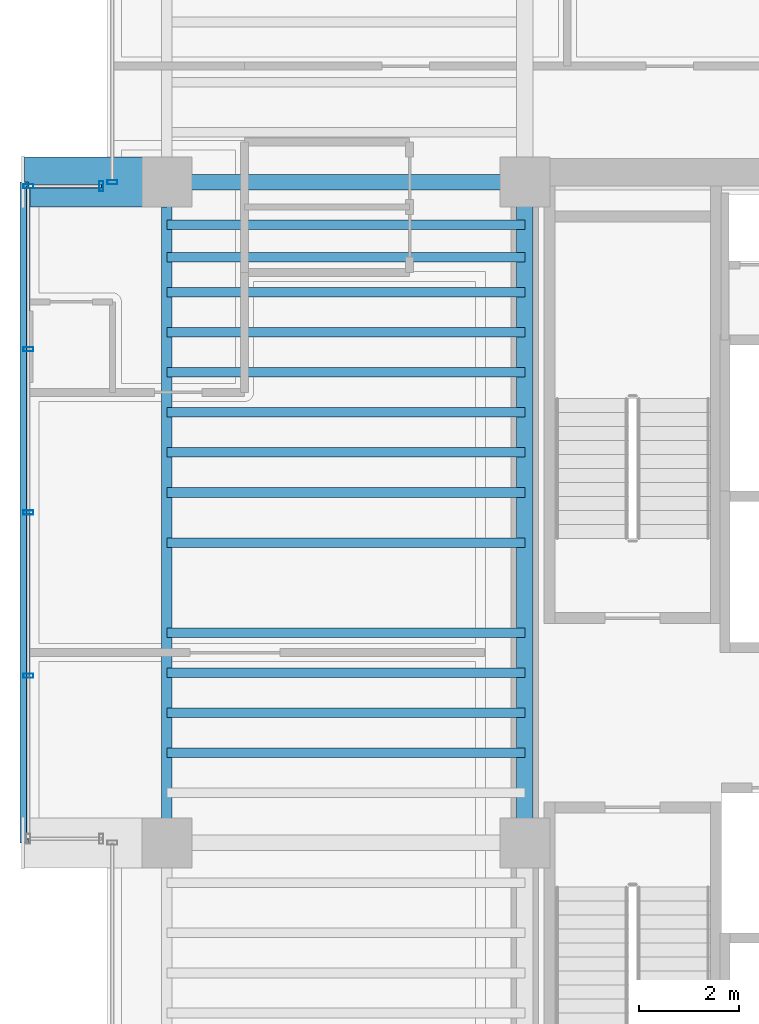
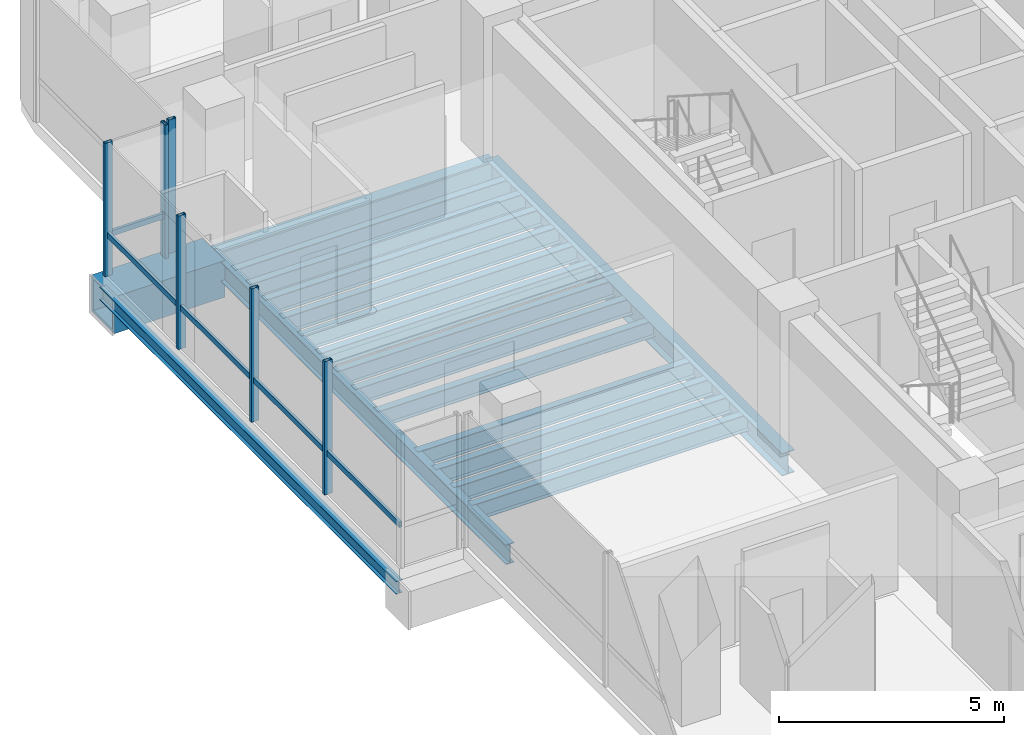
# One storey, part 7 of 36: 18 beams, 8 members, 3 elements without a shape of their own.
"""IFC4 building model written with IfcOpenShell, lengths in metres."""

from ifc_helpers import new_model, si_unit, direction, frame, origin, origin_2d, place, context, subcontext, project, spatial, hollow_rectangle, i_section, extrude, source, transform, mapped, material, material_profile, profile_set, type_object, element, aggregate, save


model = new_model("IFC4")

# Units and contexts
model_context = context("Model", 3, precision=1e-05, world=origin(), true_north=direction((0.0, 1.0)))
body_context = subcontext(model_context, "Body", "Model", "MODEL_VIEW")
ifc_project = project(units=[si_unit("LENGTHUNIT", "METRE"), si_unit("AREAUNIT", "SQUARE_METRE"), si_unit("VOLUMEUNIT", "CUBIC_METRE"), si_unit("PLANEANGLEUNIT", "RADIAN"), si_unit("MASSUNIT", "GRAM", prefix="KILO")], contexts=[model_context])

# Site, building, storey
site_placement = place(None, origin())
site = spatial("IfcSite", under=ifc_project, at=site_placement, CompositionType="ELEMENT")
building_placement = place(site_placement, origin())
building = spatial("IfcBuilding", under=site, at=building_placement, Name="Valdorenza Pilgrim Sanctuary Tower", CompositionType="ELEMENT")
storey_placement = place(building_placement, frame((0.0, 0.0, 176.550048828125)))
storey = spatial("IfcBuildingStorey", under=building, at=storey_placement, Name="L45", CompositionType="ELEMENT", Elevation=176.550048828125)

# Beams
ifc_material_1 = material(Name="Steel ASTM A992 Grade 50", Category="steel")
ifc_material_profile_1 = material_profile(ifc_material_1, i_section(OverallWidth=0.323974609375, OverallDepth=0.611083984375, WebThickness=0.0126953125, FlangeThickness=0.01904296875, at=origin_2d()), Name="W24X104")
ifc_profile_set_1 = profile_set([ifc_material_profile_1], Name="Steel ASTM A992 Grade 50")
beam_type_1 = type_object("IfcBeamType", Name="STR-BM-GRD-W24B", PredefinedType="BEAM", material=ifc_profile_set_1)
shared_shape_1 = source(origin(), body_context, "Body", "SweptSolid", [
    extrude(i_section(OverallWidth=0.323974609375, OverallDepth=0.611083984375, WebThickness=0.0126953125, FlangeThickness=0.01904296875, at=origin_2d()), origin(), (0.0, 0.0, 1.0), 13.2001953125),
])
beam_1_placement = place(storey_placement, frame((-22.64990234375, -2.60009765625, -0.62548828125), z_axis=(0.0, 1.0, 0.0), x_axis=(-1.0, 0.0, 0.0)))
element("IfcBeam", 1, at=beam_1_placement, inside=storey, type_object=beam_type_1, Name="L45 Core Tie Girder CA-W-M0N1", PredefinedType="BEAM", context=body_context, shape_type="MappedRepresentation", body=[
    mapped(shared_shape_1, transform((0.0, 0.0, 0.0), x_axis=(1.0, 0.0, 0.0), y_axis=(0.0, 1.0, 0.0), z_axis=(0.0, 0.0, 1.0), scale=1.0)),
])
ifc_material_profile_2 = material_profile(ifc_material_1, i_section(OverallWidth=0.1708984375, OverallDepth=0.35107421875, WebThickness=0.0068359375, FlangeThickness=0.009765625, at=origin_2d()), Name="W14X30")
ifc_profile_set_2 = profile_set([ifc_material_profile_2], Name="Steel ASTM A992 Grade 50")
beam_type_2 = type_object("IfcBeamType", Name="STR-BM-BOX-W14", PredefinedType="BEAM", material=ifc_profile_set_2)
shared_shape_2 = source(origin(), body_context, "Body", "SweptSolid", [
    extrude(i_section(OverallWidth=0.1708984375, OverallDepth=0.35107421875, WebThickness=0.0068359375, FlangeThickness=0.009765625, at=origin_2d()), origin(), (0.0, 0.0, 1.0), 13.2001953125),
])
beam_2_placement = place(storey_placement, frame((-32.64990234375, -2.60009765625, -0.49560546875), z_axis=(0.0, 1.0, 0.0), x_axis=(-1.0, 0.0, 0.0)))
element("IfcBeam", 2, at=beam_2_placement, inside=storey, type_object=beam_type_2, Name="L45 Glass Box Edge Beam BOX-WA-L45-F", PredefinedType="BEAM", context=body_context, shape_type="MappedRepresentation", body=[
    mapped(shared_shape_2, transform((0.0, 0.0, 0.0), x_axis=(1.0, 0.0, 0.0), y_axis=(0.0, 1.0, 0.0), z_axis=(0.0, 0.0, 1.0), scale=1.0)),
])
ifc_material_profile_3 = material_profile(ifc_material_1, i_section(OverallWidth=0.19091796875, OverallDepth=0.45703125, WebThickness=0.009033203125, FlangeThickness=0.014404296875, at=origin_2d()), Name="W18X50")
ifc_profile_set_3 = profile_set([ifc_material_profile_3], Name="Steel ASTM A992 Grade 50")
beam_type_3 = type_object("IfcBeamType", Name="STR-BM-JST-W18B", PredefinedType="JOIST", material=ifc_profile_set_3)
shared_shape_3 = source(origin(), body_context, "Body", "SweptSolid", [
    extrude(i_section(OverallWidth=0.19091796875, OverallDepth=0.45703125, WebThickness=0.009033203125, FlangeThickness=0.014404296875, at=origin_2d()), origin(), (0.0, 0.0, 1.0), 7.150146484375),
])
for number, where, z_axis, x_axis, name in (
    (3, (-29.800048828125, -0.800048828125, -0.548583984375), (1.0, 0.0, 0.0), (0.0, 1.0, 0.0), "L45 Composite Floor Joist JST-WA-11"),
    (4, (-29.800048828125, 0.0, -0.548583984375), (1.0, 0.0, 0.0), (0.0, 1.0, 0.0), "L45 Composite Floor Joist JST-WA-12"),
    (5, (-29.800048828125, 0.800048828125, -0.548583984375), (1.0, 0.0, 0.0), (0.0, 1.0, 0.0), "L45 Composite Floor Joist JST-WA-13"),
    (6, (-29.800048828125, 1.60009765625, -0.548583984375), (1.0, 0.0, 0.0), (0.0, 1.0, 0.0), "L45 Composite Floor Joist JST-WA-14"),
    (7, (-29.800048828125, 3.39990234375, -0.548583984375), (1.0, 0.0, 0.0), (0.0, 1.0, 0.0), "L45 Composite Floor Joist JST-WA-15"),
    (8, (-29.800048828125, 4.39990234375, -0.548583984375), (1.0, 0.0, 0.0), (0.0, 1.0, 0.0), "L45 Composite Floor Joist JST-WA-16"),
    (9, (-29.800048828125, 5.199951171875, -0.548583984375), (1.0, 0.0, 0.0), (0.0, 1.0, 0.0), "L45 Composite Floor Joist JST-WA-17"),
    (10, (-29.800048828125, 6.0, -0.548583984375), (1.0, 0.0, 0.0), (0.0, 1.0, 0.0), "L45 Composite Floor Joist JST-WA-18"),
    (11, (-29.800048828125, 6.800048828125, -0.548583984375), (1.0, 0.0, 0.0), (0.0, 1.0, 0.0), "L45 Composite Floor Joist JST-WA-19"),
    (12, (-29.800048828125, 7.60009765625, -0.548583984375), (1.0, 0.0, 0.0), (0.0, 1.0, 0.0), "L45 Composite Floor Joist JST-WA-20"),
    (13, (-29.800048828125, 8.39990234375, -0.548583984375), (1.0, 0.0, 0.0), (0.0, 1.0, 0.0), "L45 Composite Floor Joist JST-WA-21"),
    (14, (-29.800048828125, 9.10009765625, -0.548583984375), (1.0, 0.0, 0.0), (0.0, 1.0, 0.0), "L45 Composite Floor Joist JST-WA-22"),
    (15, (-29.800048828125, 9.75, -0.548583984375), (1.0, 0.0, 0.0), (0.0, 1.0, 0.0), "L45 Composite Floor Joist JST-WA-23"),
):
    element("IfcBeam", number, at=place(storey_placement, frame(where, z_axis=z_axis, x_axis=x_axis)), inside=storey, type_object=beam_type_3, Name=name, PredefinedType="JOIST", context=body_context, shape_type="MappedRepresentation", body=[
        mapped(shared_shape_3, transform((0.0, 0.0, 0.0), x_axis=(1.0, 0.0, 0.0), y_axis=(0.0, 1.0, 0.0), z_axis=(0.0, 0.0, 1.0), scale=1.0)),
    ])
ifc_material_2 = material(Name="Steel ASTM A572 Grade 42", Category="steel")
ifc_material_profile_4 = material_profile(ifc_material_2, hollow_rectangle(XDim=1.0, YDim=1.0, WallThickness=0.080078125, at=origin_2d()), Name="BOX 1000x1000x80")
ifc_profile_set_4 = profile_set([ifc_material_profile_4], Name="Steel ASTM A572 Grade 42")
beam_type_4 = type_object("IfcBeamType", Name="STR-BM-PROW-CANT", PredefinedType="BEAM", material=ifc_profile_set_4)
shared_shape_4 = source(origin(), body_context, "Body", "SweptSolid", [
    extrude(hollow_rectangle(XDim=1.0, YDim=1.0, WallThickness=0.080078125, at=origin_2d()), origin(), (0.0, 0.0, 1.0), 2.849853515625),
])
beam_3_placement = place(storey_placement, frame((-29.800048828125, 10.60009765625, -0.820068359375), z_axis=(-1.0, 0.0, 0.0), x_axis=(0.0, -1.0, 0.0)))
element("IfcBeam", 16, at=beam_3_placement, inside=storey, type_object=beam_type_4, Name="L45 Glass Box Cantilever Beam BOX-WA-L45-CT-N", PredefinedType="BEAM", context=body_context, shape_type="MappedRepresentation", body=[
    mapped(shared_shape_4, transform((0.0, 0.0, 0.0), x_axis=(1.0, 0.0, 0.0), y_axis=(0.0, 1.0, 0.0), z_axis=(0.0, 0.0, 1.0), scale=1.0)),
])
ifc_material_profile_5 = material_profile(ifc_material_1, i_section(OverallWidth=0.2109375, OverallDepth=0.5390625, WebThickness=0.01171875, FlangeThickness=0.018798828125, at=origin_2d()), Name="W21X73")
ifc_profile_set_5 = profile_set([ifc_material_profile_5], Name="Steel ASTM A992 Grade 50")
beam_type_5 = type_object("IfcBeamType", Name="STR-BM-SPN-W21B", PredefinedType="SPANDREL", material=ifc_profile_set_5)
shared_shape_5 = source(origin(), body_context, "Body", "SweptSolid", [
    extrude(i_section(OverallWidth=0.2109375, OverallDepth=0.5390625, WebThickness=0.01171875, FlangeThickness=0.018798828125, at=origin_2d()), origin(), (0.0, 0.0, 1.0), 13.2001953125),
])
beam_4_placement = place(storey_placement, frame((-29.800048828125, -2.60009765625, -0.589599609375), z_axis=(0.0, 1.0, 0.0), x_axis=(-1.0, 0.0, 0.0)))
element("IfcBeam", 17, at=beam_4_placement, inside=storey, type_object=beam_type_5, Name="L45 Spandrel Beam WA-W-M0N1", PredefinedType="SPANDREL", context=body_context, shape_type="MappedRepresentation", body=[
    mapped(shared_shape_5, transform((0.0, 0.0, 0.0), x_axis=(1.0, 0.0, 0.0), y_axis=(0.0, 1.0, 0.0), z_axis=(0.0, 0.0, 1.0), scale=1.0)),
])
ifc_material_profile_6 = material_profile(ifc_material_1, i_section(OverallWidth=0.31005859375, OverallDepth=0.949951171875, WebThickness=0.0244140625, FlangeThickness=0.0439453125, at=origin_2d()), Name="W36X256")
ifc_profile_set_6 = profile_set([ifc_material_profile_6], Name="Steel ASTM A992 Grade 50")
beam_type_6 = type_object("IfcBeamType", Name="STR-BM-GRD-W36B", PredefinedType="BEAM", material=ifc_profile_set_6)
shared_shape_6 = source(origin(), body_context, "Body", "SweptSolid", [
    extrude(i_section(OverallWidth=0.31005859375, OverallDepth=0.949951171875, WebThickness=0.0244140625, FlangeThickness=0.0439453125, at=origin_2d()), origin(), (0.0, 0.0, 1.0), 7.150146484375),
])
beam_5_placement = place(storey_placement, frame((-29.800048828125, 10.60009765625, -0.795166015625), z_axis=(1.0, 0.0, 0.0), x_axis=(0.0, 1.0, 0.0)))
element("IfcBeam", 18, at=beam_5_placement, inside=storey, type_object=beam_type_6, Name="L45 Floor Girder WA-XW-N1", PredefinedType="BEAM", context=body_context, shape_type="MappedRepresentation", body=[
    mapped(shared_shape_6, transform((0.0, 0.0, 0.0), x_axis=(1.0, 0.0, 0.0), y_axis=(0.0, 1.0, 0.0), z_axis=(0.0, 0.0, 1.0), scale=1.0)),
])

# Curtain wall, member
ifc_material_3 = material(Name="Curtain-wall IGU glazing", Category="glass")
curtain_wall_type = type_object("IfcCurtainWallType", Name="CW-SYS-02", PredefinedType="NOTDEFINED", material=ifc_material_3)
curtain_wall_1_placement = place(storey_placement, origin())
curtain_wall_1 = element("IfcCurtainWall", 19, at=curtain_wall_1_placement, inside=storey, type_object=curtain_wall_type, Name="L45 Curtain Wall CW-L45-BOX-WA-L45-N", PredefinedType="NOTDEFINED")
ifc_material_4 = material(Name="Anodised aluminium AW-6060", Category="aluminium")
ifc_material_profile_7 = material_profile(ifc_material_4, hollow_rectangle(XDim=0.074951171875, YDim=0.14990234375, WallThickness=0.00390625, at=origin_2d()), Name="ALU-T 150x75x4")
ifc_profile_set_7 = profile_set([ifc_material_profile_7], Name="Anodised aluminium AW-6060")
member_type_1 = type_object("IfcMemberType", Name="CW-TRN-02", PredefinedType="USERDEFINED", material=ifc_profile_set_7)
shared_shape_7 = source(origin(), body_context, "Body", "SweptSolid", [
    extrude(hollow_rectangle(XDim=0.074951171875, YDim=0.14990234375, WallThickness=0.00390625, at=origin_2d()), origin(), (0.0, 0.0, 1.0), 1.4599609375),
])
member_1_placement = place(storey_placement, frame((-32.570068359375, 10.52001953125, 1.119873046875), z_axis=(1.0, 0.0, 0.0), x_axis=(0.0, 1.0, 0.0)))
member_1 = element("IfcMember", 20, at=member_1_placement, type_object=member_type_1, Name="CW-L45-BOX-WA-L45-N Transom 1", ObjectType="TRANSOM", PredefinedType="USERDEFINED", context=body_context, shape_type="MappedRepresentation", body=[
    mapped(shared_shape_7, transform((0.0, 0.0, 0.0), x_axis=(1.0, 0.0, 0.0), y_axis=(0.0, 1.0, 0.0), z_axis=(0.0, 0.0, 1.0), scale=1.0)),
])

curtain_wall_2_placement = place(storey_placement, origin())
curtain_wall_2 = element("IfcCurtainWall", 21, at=curtain_wall_2_placement, inside=storey, type_object=curtain_wall_type, Name="L45 Curtain Wall CW-L45-BOX-WA-L45-F", PredefinedType="NOTDEFINED")
shared_shape_8 = source(origin(), body_context, "Body", "SweptSolid", [
    extrude(hollow_rectangle(XDim=0.074951171875, YDim=0.14990234375, WallThickness=0.00390625, at=origin_2d()), origin(), (0.0, 0.0, 1.0), 13.0400390625),
])
member_2_placement = place(storey_placement, frame((-32.570068359375, -2.52001953125, 1.119873046875), z_axis=(0.0, 1.0, 0.0), x_axis=(-1.0, 0.0, 0.0)))
member_2 = element("IfcMember", 22, at=member_2_placement, type_object=member_type_1, Name="CW-L45-BOX-WA-L45-F Transom 1", ObjectType="TRANSOM", PredefinedType="USERDEFINED", context=body_context, shape_type="MappedRepresentation", body=[
    mapped(shared_shape_8, transform((0.0, 0.0, 0.0), x_axis=(1.0, 0.0, 0.0), y_axis=(0.0, 1.0, 0.0), z_axis=(0.0, 0.0, 1.0), scale=1.0)),
])

curtain_wall_3_placement = place(storey_placement, origin())
curtain_wall_3 = element("IfcCurtainWall", 23, at=curtain_wall_3_placement, inside=storey, type_object=curtain_wall_type, Name="L45 Curtain Wall CW-L45-1-1S2", PredefinedType="NOTDEFINED")
ifc_material_profile_8 = material_profile(ifc_material_4, hollow_rectangle(XDim=0.0849609375, YDim=0.199951171875, WallThickness=0.0048828125, at=origin_2d()), Name="ALU-M 200x85x5")
ifc_profile_set_8 = profile_set([ifc_material_profile_8], Name="Anodised aluminium AW-6060")
member_type_2 = type_object("IfcMemberType", Name="CW-MUL-02", PredefinedType="MULLION", material=ifc_profile_set_8)
shared_shape_9 = source(origin(), body_context, "Body", "SweptSolid", [
    extrude(hollow_rectangle(XDim=0.0849609375, YDim=0.199951171875, WallThickness=0.0048828125, at=origin_2d()), origin(), (0.0, 0.0, 1.0), 3.6298828125),
])
member_3_placement = place(storey_placement, frame((-30.889892578125, 10.60009765625, 0.0), z_axis=(0.0, 0.0, 1.0), x_axis=(0.0, 1.0, 0.0)))
member_3 = element("IfcMember", 24, at=member_3_placement, type_object=member_type_2, Name="CW-L45-1-1S2 Mullion 1", PredefinedType="MULLION", context=body_context, shape_type="MappedRepresentation", body=[
    mapped(shared_shape_9, transform((0.0, 0.0, 0.0), x_axis=(1.0, 0.0, 0.0), y_axis=(0.0, 1.0, 0.0), z_axis=(0.0, 0.0, 1.0), scale=1.0)),
])
aggregate(curtain_wall_3, [member_3])

# Member
member_4_placement = place(storey_placement, frame((-32.570068359375, 0.739990234375, 0.0), z_axis=(0.0, 0.0, 1.0), x_axis=(0.0, 1.0, 0.0)))
member_4 = element("IfcMember", 25, at=member_4_placement, type_object=member_type_2, Name="CW-L45-BOX-WA-L45-F Mullion 2", PredefinedType="MULLION", context=body_context, shape_type="MappedRepresentation", body=[
    mapped(shared_shape_9, transform((0.0, 0.0, 0.0), x_axis=(1.0, 0.0, 0.0), y_axis=(0.0, 1.0, 0.0), z_axis=(0.0, 0.0, 1.0), scale=1.0)),
])

member_5_placement = place(storey_placement, frame((-32.570068359375, 4.0, 0.0), z_axis=(0.0, 0.0, 1.0), x_axis=(0.0, 1.0, 0.0)))
member_5 = element("IfcMember", 26, at=member_5_placement, type_object=member_type_2, Name="CW-L45-BOX-WA-L45-F Mullion 3", PredefinedType="MULLION", context=body_context, shape_type="MappedRepresentation", body=[
    mapped(shared_shape_9, transform((0.0, 0.0, 0.0), x_axis=(1.0, 0.0, 0.0), y_axis=(0.0, 1.0, 0.0), z_axis=(0.0, 0.0, 1.0), scale=1.0)),
])

member_6_placement = place(storey_placement, frame((-32.570068359375, 7.260009765625, 0.0), z_axis=(0.0, 0.0, 1.0), x_axis=(0.0, 1.0, 0.0)))
member_6 = element("IfcMember", 27, at=member_6_placement, type_object=member_type_2, Name="CW-L45-BOX-WA-L45-F Mullion 4", PredefinedType="MULLION", context=body_context, shape_type="MappedRepresentation", body=[
    mapped(shared_shape_9, transform((0.0, 0.0, 0.0), x_axis=(1.0, 0.0, 0.0), y_axis=(0.0, 1.0, 0.0), z_axis=(0.0, 0.0, 1.0), scale=1.0)),
])

member_7_placement = place(storey_placement, frame((-32.570068359375, 10.52001953125, 0.0), z_axis=(0.0, 0.0, 1.0), x_axis=(0.0, 1.0, 0.0)))
member_7 = element("IfcMember", 28, at=member_7_placement, type_object=member_type_2, Name="CW-L45-BOX-WA-L45-F Mullion 5", PredefinedType="MULLION", context=body_context, shape_type="MappedRepresentation", body=[
    mapped(shared_shape_9, transform((0.0, 0.0, 0.0), x_axis=(1.0, 0.0, 0.0), y_axis=(0.0, 1.0, 0.0), z_axis=(0.0, 0.0, 1.0), scale=1.0)),
])

aggregate(curtain_wall_2, [member_4, member_5, member_6, member_7, member_2])

member_8_placement = place(storey_placement, frame((-31.110107421875, 10.52001953125, 0.0), z_axis=(0.0, 0.0, 1.0), x_axis=(1.0, 0.0, 0.0)))
member_8 = element("IfcMember", 29, at=member_8_placement, type_object=member_type_2, Name="CW-L45-BOX-WA-L45-N Mullion 2", PredefinedType="MULLION", context=body_context, shape_type="MappedRepresentation", body=[
    mapped(shared_shape_9, transform((0.0, 0.0, 0.0), x_axis=(1.0, 0.0, 0.0), y_axis=(0.0, 1.0, 0.0), z_axis=(0.0, 0.0, 1.0), scale=1.0)),
])

aggregate(curtain_wall_1, [member_8, member_1])

save(model, "model.ifc")
